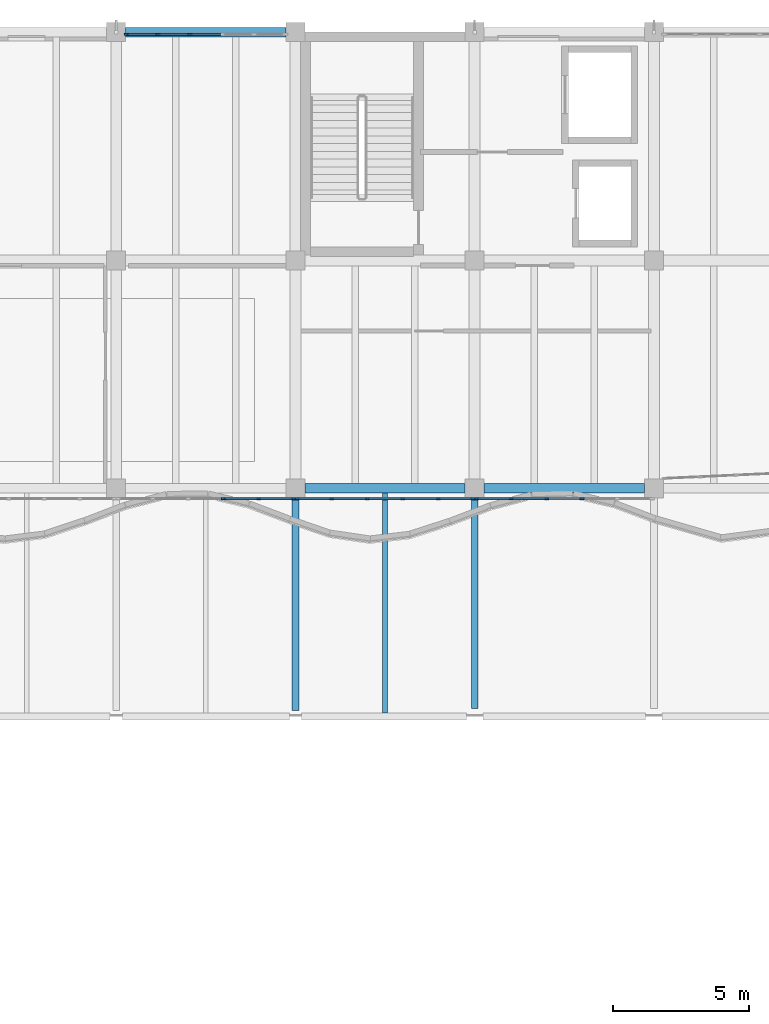
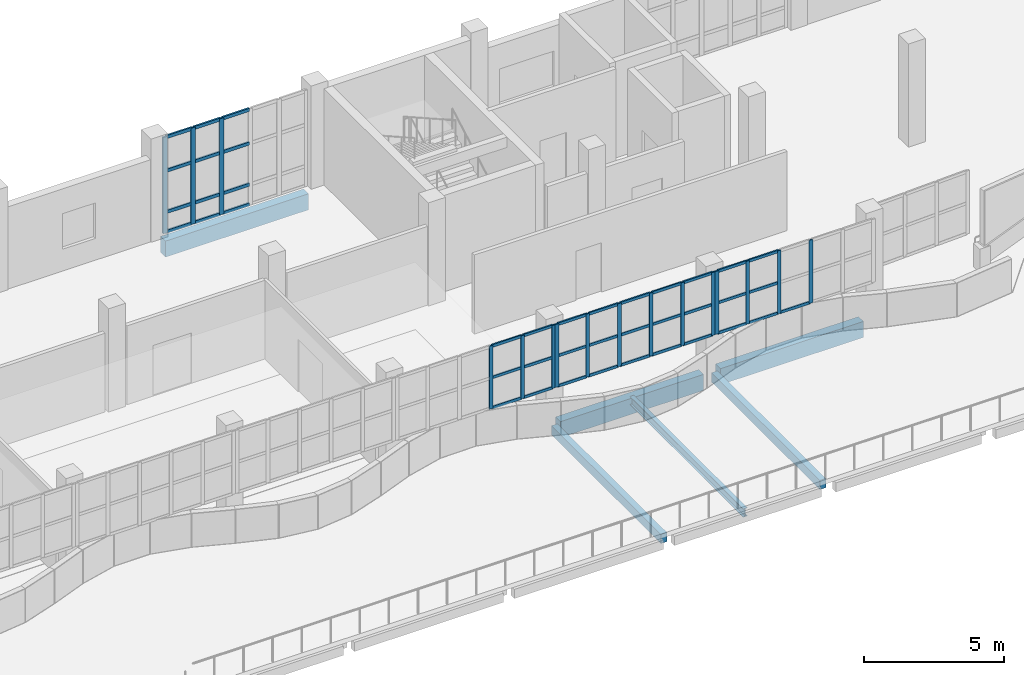
# One storey, part 16 of 83: 56 members, 6 beams, 4 elements without a shape of their own.
"""IFC4 building model written with IfcOpenShell, lengths in metres."""

from ifc_helpers import new_model, si_unit, direction, frame, origin, origin_2d, place, context, subcontext, project, spatial, rectangle, i_section, extrude, material, material_profile, profile_set, type_object, element, aggregate, save


model = new_model("IFC4")

# Units and contexts
model_context = context("Model", 3, precision=1e-05, world=origin(), true_north=direction((0.0, 1.0)))
body_context = subcontext(model_context, "Body", "Model", "MODEL_VIEW")
ifc_project = project(units=[si_unit("LENGTHUNIT", "METRE"), si_unit("AREAUNIT", "SQUARE_METRE"), si_unit("VOLUMEUNIT", "CUBIC_METRE"), si_unit("PLANEANGLEUNIT", "RADIAN"), si_unit("MASSUNIT", "GRAM", prefix="KILO")], contexts=[model_context])

# Site, building, storey
site_placement = place(None, origin())
site = spatial("IfcSite", under=ifc_project, at=site_placement, CompositionType="ELEMENT")
building_placement = place(site_placement, origin())
building = spatial("IfcBuilding", under=site, at=building_placement, Name="Qaldarim Faculty of Natural and Applied Sciences", CompositionType="ELEMENT")
storey_placement = place(building_placement, frame((0.0, 0.0, 5.39990234375)))
storey = spatial("IfcBuildingStorey", under=building, at=storey_placement, Name="L01", CompositionType="ELEMENT", Elevation=5.39990234375)

# Beams
ifc_material_1 = material(Name="Concrete C40/50", Category="concrete")
ifc_material_profile_1 = material_profile(ifc_material_1, rectangle(XDim=0.25, YDim=0.39990234375, at=origin_2d()), Name="RC-LN250x400")
ifc_profile_set_1 = profile_set([ifc_material_profile_1], Name="Concrete C40/50")
beam_type_1 = type_object("IfcBeamType", Name="ArcadeLintel-RC250x400", PredefinedType="LINTEL", material=ifc_profile_set_1)
beam_1_placement = place(storey_placement, frame((99.0, 92.625, -0.39990234375), z_axis=(0.0, 1.0, 0.0), x_axis=(-1.0, 0.0, 0.0)))
element("IfcBeam", 1, at=beam_1_placement, inside=storey, type_object=beam_type_1, Name="Beam RC-LN250x400 L00 X16/Y12-Y13", PredefinedType="LINTEL", context=body_context, shape_type="SweptSolid", body=[
    extrude(rectangle(XDim=0.25, YDim=0.39990234375, at=origin_2d()), origin(), (0.0, 0.0, 1.0), 7.824951171875),
])
beam_2_placement = place(storey_placement, frame((105.60009765625, 92.699951171875, -0.39990234375), z_axis=(0.0, 1.0, 0.0), x_axis=(-1.0, 0.0, 0.0)))
element("IfcBeam", 2, at=beam_2_placement, inside=storey, type_object=beam_type_1, Name="Beam RC-LN250x400 L00 X17/Y12-Y13", PredefinedType="LINTEL", context=body_context, shape_type="SweptSolid", body=[
    extrude(rectangle(XDim=0.25, YDim=0.39990234375, at=origin_2d()), origin(), (0.0, 0.0, 1.0), 7.75),
])
ifc_material_2 = material(Name="Structural steel S355", Category="steel")
ifc_material_profile_2 = material_profile(ifc_material_2, i_section(OverallWidth=0.169921875, OverallDepth=0.360107421875, WebThickness=0.008056640625, FlangeThickness=0.0126953125, at=origin_2d()), Name="IPE 360")
ifc_profile_set_2 = profile_set([ifc_material_profile_2], Name="Structural steel S355")
beam_type_2 = type_object("IfcBeamType", Name="CanopyBeam-IPE360", PredefinedType="BEAM", material=ifc_profile_set_2)
beam_3_placement = place(storey_placement, frame((102.300048828125, 92.52490234375, -0.3798828125), z_axis=(0.0, 1.0, 0.0), x_axis=(-1.0, 0.0, 0.0)))
element("IfcBeam", 3, at=beam_3_placement, inside=storey, type_object=beam_type_2, Name="Canopy steel beam IPE 360 bay X16", PredefinedType="BEAM", context=body_context, shape_type="SweptSolid", body=[
    extrude(i_section(OverallWidth=0.169921875, OverallDepth=0.360107421875, WebThickness=0.008056640625, FlangeThickness=0.0126953125, at=origin_2d()), origin(), (0.0, 0.0, 1.0), 8.10009765625),
])

# Curtain wall, members
ifc_material_3 = material(Name="Anodised aluminium AW-6063", Category="aluminium")
curtain_wall_type_1 = type_object("IfcCurtainWallType", Name="CurtainWallSystem-M1400", PredefinedType="USERDEFINED", material=ifc_material_3)
curtain_wall_1_placement = place(storey_placement, origin())
curtain_wall_1 = element("IfcCurtainWall", 4, at=curtain_wall_1_placement, inside=storey, type_object=curtain_wall_type_1, Name="Curtain wall CW-V4RIB-L01-X15", ObjectType="STICK CURTAIN WALL", PredefinedType="USERDEFINED")
ifc_material_profile_3 = material_profile(ifc_material_3, rectangle(XDim=0.06005859375, YDim=0.14990234375, at=origin_2d()), Name="ALU-M60x150")
ifc_profile_set_3 = profile_set([ifc_material_profile_3], Name="Anodised aluminium AW-6063")
member_type_1 = type_object("IfcMemberType", Name="Mullion-ALU60x150", PredefinedType="MULLION", material=ifc_profile_set_3)
member_1_placement = place(storey_placement, frame((96.35205078125, 100.419921875, 1.4501953125), z_axis=(0.0, 0.0, 1.0), x_axis=(0.0, 1.0, 0.0)))
member_1 = element("IfcMember", 5, at=member_1_placement, type_object=member_type_1, Name="Mullion 4 of CW-V4RIB-L01-X15", PredefinedType="MULLION", context=body_context, shape_type="SweptSolid", body=[
    extrude(rectangle(XDim=0.06005859375, YDim=0.14990234375, at=origin_2d()), origin(), (0.0, 0.0, 1.0), 2.75),
])
member_2_placement = place(storey_placement, frame((97.656005859375, 100.419921875, 1.4501953125), z_axis=(0.0, 0.0, 1.0), x_axis=(0.0, 1.0, 0.0)))
member_2 = element("IfcMember", 6, at=member_2_placement, type_object=member_type_1, Name="Mullion 5 of CW-V4RIB-L01-X15", PredefinedType="MULLION", context=body_context, shape_type="SweptSolid", body=[
    extrude(rectangle(XDim=0.06005859375, YDim=0.14990234375, at=origin_2d()), origin(), (0.0, 0.0, 1.0), 2.75),
])
member_3_placement = place(storey_placement, frame((98.929931640625, 100.419921875, 1.4501953125), z_axis=(0.0, 0.0, 1.0), x_axis=(0.0, 1.0, 0.0)))
member_3 = element("IfcMember", 7, at=member_3_placement, type_object=member_type_1, Name="Mullion 6 of CW-V4RIB-L01-X15", PredefinedType="MULLION", context=body_context, shape_type="SweptSolid", body=[
    extrude(rectangle(XDim=0.06005859375, YDim=0.14990234375, at=origin_2d()), origin(), (0.0, 0.0, 1.0), 2.75),
])

curtain_wall_2_placement = place(storey_placement, origin())
curtain_wall_2 = element("IfcCurtainWall", 8, at=curtain_wall_2_placement, inside=storey, type_object=curtain_wall_type_1, Name="Curtain wall CW-V4RIB-L01-X16", ObjectType="STICK CURTAIN WALL", PredefinedType="USERDEFINED")
member_4_placement = place(storey_placement, frame((99.070068359375, 100.419921875, 1.4501953125), z_axis=(0.0, 0.0, 1.0), x_axis=(0.0, 1.0, 0.0)))
member_4 = element("IfcMember", 9, at=member_4_placement, type_object=member_type_1, Name="Mullion 1 of CW-V4RIB-L01-X16", PredefinedType="MULLION", context=body_context, shape_type="SweptSolid", body=[
    extrude(rectangle(XDim=0.06005859375, YDim=0.14990234375, at=origin_2d()), origin(), (0.0, 0.0, 1.0), 2.75),
])
member_5_placement = place(storey_placement, frame((100.343994140625, 100.419921875, 1.4501953125), z_axis=(0.0, 0.0, 1.0), x_axis=(0.0, 1.0, 0.0)))
member_5 = element("IfcMember", 10, at=member_5_placement, type_object=member_type_1, Name="Mullion 2 of CW-V4RIB-L01-X16", PredefinedType="MULLION", context=body_context, shape_type="SweptSolid", body=[
    extrude(rectangle(XDim=0.06005859375, YDim=0.14990234375, at=origin_2d()), origin(), (0.0, 0.0, 1.0), 2.75),
])
member_6_placement = place(storey_placement, frame((101.64794921875, 100.419921875, 1.4501953125), z_axis=(0.0, 0.0, 1.0), x_axis=(0.0, 1.0, 0.0)))
member_6 = element("IfcMember", 11, at=member_6_placement, type_object=member_type_1, Name="Mullion 3 of CW-V4RIB-L01-X16", PredefinedType="MULLION", context=body_context, shape_type="SweptSolid", body=[
    extrude(rectangle(XDim=0.06005859375, YDim=0.14990234375, at=origin_2d()), origin(), (0.0, 0.0, 1.0), 2.75),
])
member_7_placement = place(storey_placement, frame((102.951904296875, 100.419921875, 1.4501953125), z_axis=(0.0, 0.0, 1.0), x_axis=(0.0, 1.0, 0.0)))
member_7 = element("IfcMember", 12, at=member_7_placement, type_object=member_type_1, Name="Mullion 4 of CW-V4RIB-L01-X16", PredefinedType="MULLION", context=body_context, shape_type="SweptSolid", body=[
    extrude(rectangle(XDim=0.06005859375, YDim=0.14990234375, at=origin_2d()), origin(), (0.0, 0.0, 1.0), 2.75),
])
member_8_placement = place(storey_placement, frame((104.256103515625, 100.419921875, 1.4501953125), z_axis=(0.0, 0.0, 1.0), x_axis=(0.0, 1.0, 0.0)))
member_8 = element("IfcMember", 13, at=member_8_placement, type_object=member_type_1, Name="Mullion 5 of CW-V4RIB-L01-X16", PredefinedType="MULLION", context=body_context, shape_type="SweptSolid", body=[
    extrude(rectangle(XDim=0.06005859375, YDim=0.14990234375, at=origin_2d()), origin(), (0.0, 0.0, 1.0), 2.75),
])
member_9_placement = place(storey_placement, frame((105.530029296875, 100.419921875, 1.4501953125), z_axis=(0.0, 0.0, 1.0), x_axis=(0.0, 1.0, 0.0)))
member_9 = element("IfcMember", 14, at=member_9_placement, type_object=member_type_1, Name="Mullion 6 of CW-V4RIB-L01-X16", PredefinedType="MULLION", context=body_context, shape_type="SweptSolid", body=[
    extrude(rectangle(XDim=0.06005859375, YDim=0.14990234375, at=origin_2d()), origin(), (0.0, 0.0, 1.0), 2.75),
])

curtain_wall_3_placement = place(storey_placement, origin())
curtain_wall_3 = element("IfcCurtainWall", 15, at=curtain_wall_3_placement, inside=storey, type_object=curtain_wall_type_1, Name="Curtain wall CW-V4RIB-L01-X17", ObjectType="STICK CURTAIN WALL", PredefinedType="USERDEFINED")
member_10_placement = place(storey_placement, frame((105.669921875, 100.419921875, 1.4501953125), z_axis=(0.0, 0.0, 1.0), x_axis=(0.0, 1.0, 0.0)))
member_10 = element("IfcMember", 16, at=member_10_placement, type_object=member_type_1, Name="Mullion 1 of CW-V4RIB-L01-X17", PredefinedType="MULLION", context=body_context, shape_type="SweptSolid", body=[
    extrude(rectangle(XDim=0.06005859375, YDim=0.14990234375, at=origin_2d()), origin(), (0.0, 0.0, 1.0), 2.75),
])
member_11_placement = place(storey_placement, frame((106.944091796875, 100.419921875, 1.4501953125), z_axis=(0.0, 0.0, 1.0), x_axis=(0.0, 1.0, 0.0)))
member_11 = element("IfcMember", 17, at=member_11_placement, type_object=member_type_1, Name="Mullion 2 of CW-V4RIB-L01-X17", PredefinedType="MULLION", context=body_context, shape_type="SweptSolid", body=[
    extrude(rectangle(XDim=0.06005859375, YDim=0.14990234375, at=origin_2d()), origin(), (0.0, 0.0, 1.0), 2.75),
])
member_12_placement = place(storey_placement, frame((108.248046875, 100.419921875, 1.4501953125), z_axis=(0.0, 0.0, 1.0), x_axis=(0.0, 1.0, 0.0)))
member_12 = element("IfcMember", 18, at=member_12_placement, type_object=member_type_1, Name="Mullion 3 of CW-V4RIB-L01-X17", PredefinedType="MULLION", context=body_context, shape_type="SweptSolid", body=[
    extrude(rectangle(XDim=0.06005859375, YDim=0.14990234375, at=origin_2d()), origin(), (0.0, 0.0, 1.0), 2.75),
])
member_13_placement = place(storey_placement, frame((109.552001953125, 100.419921875, 1.4501953125), z_axis=(0.0, 0.0, 1.0), x_axis=(0.0, 1.0, 0.0)))
member_13 = element("IfcMember", 19, at=member_13_placement, type_object=member_type_1, Name="Mullion 4 of CW-V4RIB-L01-X17", PredefinedType="MULLION", context=body_context, shape_type="SweptSolid", body=[
    extrude(rectangle(XDim=0.06005859375, YDim=0.14990234375, at=origin_2d()), origin(), (0.0, 0.0, 1.0), 2.75),
])

curtain_wall_type_2 = type_object("IfcCurtainWallType", Name="CurtainWallSystem-M1200", PredefinedType="USERDEFINED", material=ifc_material_3)
curtain_wall_4_placement = place(storey_placement, origin())
curtain_wall_4 = element("IfcCurtainWall", 20, at=curtain_wall_4_placement, inside=storey, type_object=curtain_wall_type_2, Name="Curtain wall CW-L01-N-X15Y14", ObjectType="STICK CURTAIN WALL", PredefinedType="USERDEFINED")
ifc_material_profile_4 = material_profile(ifc_material_3, rectangle(XDim=0.070068359375, YDim=0.179931640625, at=origin_2d()), Name="ALU-M70x180")
ifc_profile_set_4 = profile_set([ifc_material_profile_4], Name="Anodised aluminium AW-6063")
member_type_2 = type_object("IfcMemberType", Name="Mullion-ALU70x180", PredefinedType="MULLION", material=ifc_profile_set_4)
member_14_placement = place(storey_placement, frame((95.10888671875, 117.52001953125, 0.0), z_axis=(0.0, 0.0, 1.0), x_axis=(0.0, -1.0, 0.0)))
member_14 = element("IfcMember", 21, at=member_14_placement, type_object=member_type_2, Name="Mullion 4 of CW-L01-N-X15Y14", PredefinedType="MULLION", context=body_context, shape_type="SweptSolid", body=[
    extrude(rectangle(XDim=0.070068359375, YDim=0.179931640625, at=origin_2d()), origin(), (0.0, 0.0, 1.0), 4.2001953125),
])
member_15_placement = place(storey_placement, frame((93.927001953125, 117.52001953125, 0.0), z_axis=(0.0, 0.0, 1.0), x_axis=(0.0, -1.0, 0.0)))
member_15 = element("IfcMember", 22, at=member_15_placement, type_object=member_type_2, Name="Mullion 5 of CW-L01-N-X15Y14", PredefinedType="MULLION", context=body_context, shape_type="SweptSolid", body=[
    extrude(rectangle(XDim=0.070068359375, YDim=0.179931640625, at=origin_2d()), origin(), (0.0, 0.0, 1.0), 4.2001953125),
])
member_16_placement = place(storey_placement, frame((92.780029296875, 117.52001953125, 0.0), z_axis=(0.0, 0.0, 1.0), x_axis=(0.0, -1.0, 0.0)))
member_16 = element("IfcMember", 23, at=member_16_placement, type_object=member_type_2, Name="Mullion 6 of CW-L01-N-X15Y14", PredefinedType="MULLION", context=body_context, shape_type="SweptSolid", body=[
    extrude(rectangle(XDim=0.070068359375, YDim=0.179931640625, at=origin_2d()), origin(), (0.0, 0.0, 1.0), 4.2001953125),
])

# Beams
ifc_material_profile_5 = material_profile(ifc_material_1, rectangle(XDim=0.35009765625, YDim=0.699951171875, at=origin_2d()), Name="RC-B350x700")
ifc_profile_set_5 = profile_set([ifc_material_profile_5], Name="Concrete C40/50")
beam_type_3 = type_object("IfcBeamType", Name="PrimaryGirder-RC350x700", PredefinedType="BEAM", material=ifc_profile_set_5)
beam_4_placement = place(storey_placement, frame((99.35009765625, 100.800048828125, -0.64990234375), z_axis=(1.0, 0.0, 0.0), x_axis=(0.0, 1.0, 0.0)))
element("IfcBeam", 24, at=beam_4_placement, inside=storey, type_object=beam_type_3, Name="Beam RC-B350x700 L00 X16-X17/Y13", PredefinedType="BEAM", context=body_context, shape_type="SweptSolid", body=[
    extrude(rectangle(XDim=0.35009765625, YDim=0.699951171875, at=origin_2d()), origin(), (0.0, 0.0, 1.0), 5.89990234375),
])
beam_5_placement = place(storey_placement, frame((105.949951171875, 100.800048828125, -0.64990234375), z_axis=(1.0, 0.0, 0.0), x_axis=(0.0, 1.0, 0.0)))
element("IfcBeam", 25, at=beam_5_placement, inside=storey, type_object=beam_type_3, Name="Beam RC-B350x700 L00 X17-X18/Y13", PredefinedType="BEAM", context=body_context, shape_type="SweptSolid", body=[
    extrude(rectangle(XDim=0.35009765625, YDim=0.699951171875, at=origin_2d()), origin(), (0.0, 0.0, 1.0), 5.900146484375),
])
beam_6_placement = place(storey_placement, frame((92.75, 117.60009765625, -0.64990234375), z_axis=(1.0, 0.0, 0.0), x_axis=(0.0, 1.0, 0.0)))
element("IfcBeam", 26, at=beam_6_placement, inside=storey, type_object=beam_type_3, Name="Beam RC-B350x700 L00 X15-X16/Y15", PredefinedType="BEAM", context=body_context, shape_type="SweptSolid", body=[
    extrude(rectangle(XDim=0.35009765625, YDim=0.699951171875, at=origin_2d()), origin(), (0.0, 0.0, 1.0), 5.89990234375),
])

# Member
ifc_material_profile_6 = material_profile(ifc_material_3, rectangle(XDim=0.06005859375, YDim=0.1201171875, at=origin_2d()), Name="ALU-T60x120")
ifc_profile_set_6 = profile_set([ifc_material_profile_6], Name="Anodised aluminium AW-6063")
member_type_3 = type_object("IfcMemberType", Name="Transom-ALU60x120", PredefinedType="USERDEFINED", material=ifc_profile_set_6)
member_17_placement = place(storey_placement, frame((96.382080078125, 100.419921875, 1.47998046875), z_axis=(1.0, 0.0, 0.0), x_axis=(0.0, 1.0, 0.0)))
member_17 = element("IfcMember", 27, at=member_17_placement, type_object=member_type_3, Name="Transom 4-1 of CW-V4RIB-L01-X15", ObjectType="TRANSOM", PredefinedType="USERDEFINED", context=body_context, shape_type="SweptSolid", body=[
    extrude(rectangle(XDim=0.06005859375, YDim=0.1201171875, at=origin_2d()), origin(), (0.0, 0.0, 1.0), 1.243896484375),
])

member_18_placement = place(storey_placement, frame((96.382080078125, 100.419921875, 2.800048828125), z_axis=(1.0, 0.0, 0.0), x_axis=(0.0, 1.0, 0.0)))
member_18 = element("IfcMember", 28, at=member_18_placement, type_object=member_type_3, Name="Transom 4-2 of CW-V4RIB-L01-X15", ObjectType="TRANSOM", PredefinedType="USERDEFINED", context=body_context, shape_type="SweptSolid", body=[
    extrude(rectangle(XDim=0.06005859375, YDim=0.1201171875, at=origin_2d()), origin(), (0.0, 0.0, 1.0), 1.243896484375),
])

member_19_placement = place(storey_placement, frame((96.382080078125, 100.419921875, 4.170166015625), z_axis=(1.0, 0.0, 0.0), x_axis=(0.0, 1.0, 0.0)))
member_19 = element("IfcMember", 29, at=member_19_placement, type_object=member_type_3, Name="Transom 4-3 of CW-V4RIB-L01-X15", ObjectType="TRANSOM", PredefinedType="USERDEFINED", context=body_context, shape_type="SweptSolid", body=[
    extrude(rectangle(XDim=0.06005859375, YDim=0.1201171875, at=origin_2d()), origin(), (0.0, 0.0, 1.0), 1.243896484375),
])

member_20_placement = place(storey_placement, frame((97.68603515625, 100.419921875, 1.47998046875), z_axis=(1.0, 0.0, 0.0), x_axis=(0.0, 1.0, 0.0)))
member_20 = element("IfcMember", 30, at=member_20_placement, type_object=member_type_3, Name="Transom 5-1 of CW-V4RIB-L01-X15", ObjectType="TRANSOM", PredefinedType="USERDEFINED", context=body_context, shape_type="SweptSolid", body=[
    extrude(rectangle(XDim=0.06005859375, YDim=0.1201171875, at=origin_2d()), origin(), (0.0, 0.0, 1.0), 1.2138671875),
])

member_21_placement = place(storey_placement, frame((97.68603515625, 100.419921875, 2.800048828125), z_axis=(1.0, 0.0, 0.0), x_axis=(0.0, 1.0, 0.0)))
member_21 = element("IfcMember", 31, at=member_21_placement, type_object=member_type_3, Name="Transom 5-2 of CW-V4RIB-L01-X15", ObjectType="TRANSOM", PredefinedType="USERDEFINED", context=body_context, shape_type="SweptSolid", body=[
    extrude(rectangle(XDim=0.06005859375, YDim=0.1201171875, at=origin_2d()), origin(), (0.0, 0.0, 1.0), 1.2138671875),
])

member_22_placement = place(storey_placement, frame((97.68603515625, 100.419921875, 4.170166015625), z_axis=(1.0, 0.0, 0.0), x_axis=(0.0, 1.0, 0.0)))
member_22 = element("IfcMember", 32, at=member_22_placement, type_object=member_type_3, Name="Transom 5-3 of CW-V4RIB-L01-X15", ObjectType="TRANSOM", PredefinedType="USERDEFINED", context=body_context, shape_type="SweptSolid", body=[
    extrude(rectangle(XDim=0.06005859375, YDim=0.1201171875, at=origin_2d()), origin(), (0.0, 0.0, 1.0), 1.2138671875),
])

aggregate(curtain_wall_1, [member_1, member_2, member_3, member_17, member_18, member_19, member_20, member_21, member_22])

member_23_placement = place(storey_placement, frame((99.10009765625, 100.419921875, 1.47998046875), z_axis=(1.0, 0.0, 0.0), x_axis=(0.0, 1.0, 0.0)))
member_23 = element("IfcMember", 33, at=member_23_placement, type_object=member_type_3, Name="Transom 1-1 of CW-V4RIB-L01-X16", ObjectType="TRANSOM", PredefinedType="USERDEFINED", context=body_context, shape_type="SweptSolid", body=[
    extrude(rectangle(XDim=0.06005859375, YDim=0.1201171875, at=origin_2d()), origin(), (0.0, 0.0, 1.0), 1.2138671875),
])

member_24_placement = place(storey_placement, frame((99.10009765625, 100.419921875, 2.800048828125), z_axis=(1.0, 0.0, 0.0), x_axis=(0.0, 1.0, 0.0)))
member_24 = element("IfcMember", 34, at=member_24_placement, type_object=member_type_3, Name="Transom 1-2 of CW-V4RIB-L01-X16", ObjectType="TRANSOM", PredefinedType="USERDEFINED", context=body_context, shape_type="SweptSolid", body=[
    extrude(rectangle(XDim=0.06005859375, YDim=0.1201171875, at=origin_2d()), origin(), (0.0, 0.0, 1.0), 1.2138671875),
])

member_25_placement = place(storey_placement, frame((99.10009765625, 100.419921875, 4.170166015625), z_axis=(1.0, 0.0, 0.0), x_axis=(0.0, 1.0, 0.0)))
member_25 = element("IfcMember", 35, at=member_25_placement, type_object=member_type_3, Name="Transom 1-3 of CW-V4RIB-L01-X16", ObjectType="TRANSOM", PredefinedType="USERDEFINED", context=body_context, shape_type="SweptSolid", body=[
    extrude(rectangle(XDim=0.06005859375, YDim=0.1201171875, at=origin_2d()), origin(), (0.0, 0.0, 1.0), 1.2138671875),
])

member_26_placement = place(storey_placement, frame((100.3740234375, 100.419921875, 1.47998046875), z_axis=(1.0, 0.0, 0.0), x_axis=(0.0, 1.0, 0.0)))
member_26 = element("IfcMember", 36, at=member_26_placement, type_object=member_type_3, Name="Transom 2-1 of CW-V4RIB-L01-X16", ObjectType="TRANSOM", PredefinedType="USERDEFINED", context=body_context, shape_type="SweptSolid", body=[
    extrude(rectangle(XDim=0.06005859375, YDim=0.1201171875, at=origin_2d()), origin(), (0.0, 0.0, 1.0), 1.243896484375),
])

member_27_placement = place(storey_placement, frame((100.3740234375, 100.419921875, 2.800048828125), z_axis=(1.0, 0.0, 0.0), x_axis=(0.0, 1.0, 0.0)))
member_27 = element("IfcMember", 37, at=member_27_placement, type_object=member_type_3, Name="Transom 2-2 of CW-V4RIB-L01-X16", ObjectType="TRANSOM", PredefinedType="USERDEFINED", context=body_context, shape_type="SweptSolid", body=[
    extrude(rectangle(XDim=0.06005859375, YDim=0.1201171875, at=origin_2d()), origin(), (0.0, 0.0, 1.0), 1.243896484375),
])

member_28_placement = place(storey_placement, frame((100.3740234375, 100.419921875, 4.170166015625), z_axis=(1.0, 0.0, 0.0), x_axis=(0.0, 1.0, 0.0)))
member_28 = element("IfcMember", 38, at=member_28_placement, type_object=member_type_3, Name="Transom 2-3 of CW-V4RIB-L01-X16", ObjectType="TRANSOM", PredefinedType="USERDEFINED", context=body_context, shape_type="SweptSolid", body=[
    extrude(rectangle(XDim=0.06005859375, YDim=0.1201171875, at=origin_2d()), origin(), (0.0, 0.0, 1.0), 1.243896484375),
])

member_29_placement = place(storey_placement, frame((101.677978515625, 100.419921875, 1.47998046875), z_axis=(1.0, 0.0, 0.0), x_axis=(0.0, 1.0, 0.0)))
member_29 = element("IfcMember", 39, at=member_29_placement, type_object=member_type_3, Name="Transom 3-1 of CW-V4RIB-L01-X16", ObjectType="TRANSOM", PredefinedType="USERDEFINED", context=body_context, shape_type="SweptSolid", body=[
    extrude(rectangle(XDim=0.06005859375, YDim=0.1201171875, at=origin_2d()), origin(), (0.0, 0.0, 1.0), 1.244140625),
])

member_30_placement = place(storey_placement, frame((101.677978515625, 100.419921875, 2.800048828125), z_axis=(1.0, 0.0, 0.0), x_axis=(0.0, 1.0, 0.0)))
member_30 = element("IfcMember", 40, at=member_30_placement, type_object=member_type_3, Name="Transom 3-2 of CW-V4RIB-L01-X16", ObjectType="TRANSOM", PredefinedType="USERDEFINED", context=body_context, shape_type="SweptSolid", body=[
    extrude(rectangle(XDim=0.06005859375, YDim=0.1201171875, at=origin_2d()), origin(), (0.0, 0.0, 1.0), 1.244140625),
])

member_31_placement = place(storey_placement, frame((101.677978515625, 100.419921875, 4.170166015625), z_axis=(1.0, 0.0, 0.0), x_axis=(0.0, 1.0, 0.0)))
member_31 = element("IfcMember", 41, at=member_31_placement, type_object=member_type_3, Name="Transom 3-3 of CW-V4RIB-L01-X16", ObjectType="TRANSOM", PredefinedType="USERDEFINED", context=body_context, shape_type="SweptSolid", body=[
    extrude(rectangle(XDim=0.06005859375, YDim=0.1201171875, at=origin_2d()), origin(), (0.0, 0.0, 1.0), 1.244140625),
])

member_32_placement = place(storey_placement, frame((102.98193359375, 100.419921875, 1.47998046875), z_axis=(1.0, 0.0, 0.0), x_axis=(0.0, 1.0, 0.0)))
member_32 = element("IfcMember", 42, at=member_32_placement, type_object=member_type_3, Name="Transom 4-1 of CW-V4RIB-L01-X16", ObjectType="TRANSOM", PredefinedType="USERDEFINED", context=body_context, shape_type="SweptSolid", body=[
    extrude(rectangle(XDim=0.06005859375, YDim=0.1201171875, at=origin_2d()), origin(), (0.0, 0.0, 1.0), 1.244140625),
])

member_33_placement = place(storey_placement, frame((102.98193359375, 100.419921875, 2.800048828125), z_axis=(1.0, 0.0, 0.0), x_axis=(0.0, 1.0, 0.0)))
member_33 = element("IfcMember", 43, at=member_33_placement, type_object=member_type_3, Name="Transom 4-2 of CW-V4RIB-L01-X16", ObjectType="TRANSOM", PredefinedType="USERDEFINED", context=body_context, shape_type="SweptSolid", body=[
    extrude(rectangle(XDim=0.06005859375, YDim=0.1201171875, at=origin_2d()), origin(), (0.0, 0.0, 1.0), 1.244140625),
])

member_34_placement = place(storey_placement, frame((102.98193359375, 100.419921875, 4.170166015625), z_axis=(1.0, 0.0, 0.0), x_axis=(0.0, 1.0, 0.0)))
member_34 = element("IfcMember", 44, at=member_34_placement, type_object=member_type_3, Name="Transom 4-3 of CW-V4RIB-L01-X16", ObjectType="TRANSOM", PredefinedType="USERDEFINED", context=body_context, shape_type="SweptSolid", body=[
    extrude(rectangle(XDim=0.06005859375, YDim=0.1201171875, at=origin_2d()), origin(), (0.0, 0.0, 1.0), 1.244140625),
])

member_35_placement = place(storey_placement, frame((104.285888671875, 100.419921875, 1.47998046875), z_axis=(1.0, 0.0, 0.0), x_axis=(0.0, 1.0, 0.0)))
member_35 = element("IfcMember", 45, at=member_35_placement, type_object=member_type_3, Name="Transom 5-1 of CW-V4RIB-L01-X16", ObjectType="TRANSOM", PredefinedType="USERDEFINED", context=body_context, shape_type="SweptSolid", body=[
    extrude(rectangle(XDim=0.06005859375, YDim=0.1201171875, at=origin_2d()), origin(), (0.0, 0.0, 1.0), 1.214111328125),
])

member_36_placement = place(storey_placement, frame((104.285888671875, 100.419921875, 2.800048828125), z_axis=(1.0, 0.0, 0.0), x_axis=(0.0, 1.0, 0.0)))
member_36 = element("IfcMember", 46, at=member_36_placement, type_object=member_type_3, Name="Transom 5-2 of CW-V4RIB-L01-X16", ObjectType="TRANSOM", PredefinedType="USERDEFINED", context=body_context, shape_type="SweptSolid", body=[
    extrude(rectangle(XDim=0.06005859375, YDim=0.1201171875, at=origin_2d()), origin(), (0.0, 0.0, 1.0), 1.214111328125),
])

member_37_placement = place(storey_placement, frame((104.285888671875, 100.419921875, 4.170166015625), z_axis=(1.0, 0.0, 0.0), x_axis=(0.0, 1.0, 0.0)))
member_37 = element("IfcMember", 47, at=member_37_placement, type_object=member_type_3, Name="Transom 5-3 of CW-V4RIB-L01-X16", ObjectType="TRANSOM", PredefinedType="USERDEFINED", context=body_context, shape_type="SweptSolid", body=[
    extrude(rectangle(XDim=0.06005859375, YDim=0.1201171875, at=origin_2d()), origin(), (0.0, 0.0, 1.0), 1.214111328125),
])

aggregate(curtain_wall_2, [member_4, member_5, member_6, member_7, member_8, member_9, member_23, member_24, member_25, member_26, member_27, member_28, member_29, member_30, member_31, member_32, member_33, member_34, member_35, member_36, member_37])

member_38_placement = place(storey_placement, frame((105.699951171875, 100.419921875, 1.47998046875), z_axis=(1.0, 0.0, 0.0), x_axis=(0.0, 1.0, 0.0)))
member_38 = element("IfcMember", 48, at=member_38_placement, type_object=member_type_3, Name="Transom 1-1 of CW-V4RIB-L01-X17", ObjectType="TRANSOM", PredefinedType="USERDEFINED", context=body_context, shape_type="SweptSolid", body=[
    extrude(rectangle(XDim=0.06005859375, YDim=0.1201171875, at=origin_2d()), origin(), (0.0, 0.0, 1.0), 1.214111328125),
])

member_39_placement = place(storey_placement, frame((105.699951171875, 100.419921875, 2.800048828125), z_axis=(1.0, 0.0, 0.0), x_axis=(0.0, 1.0, 0.0)))
member_39 = element("IfcMember", 49, at=member_39_placement, type_object=member_type_3, Name="Transom 1-2 of CW-V4RIB-L01-X17", ObjectType="TRANSOM", PredefinedType="USERDEFINED", context=body_context, shape_type="SweptSolid", body=[
    extrude(rectangle(XDim=0.06005859375, YDim=0.1201171875, at=origin_2d()), origin(), (0.0, 0.0, 1.0), 1.214111328125),
])

member_40_placement = place(storey_placement, frame((105.699951171875, 100.419921875, 4.170166015625), z_axis=(1.0, 0.0, 0.0), x_axis=(0.0, 1.0, 0.0)))
member_40 = element("IfcMember", 50, at=member_40_placement, type_object=member_type_3, Name="Transom 1-3 of CW-V4RIB-L01-X17", ObjectType="TRANSOM", PredefinedType="USERDEFINED", context=body_context, shape_type="SweptSolid", body=[
    extrude(rectangle(XDim=0.06005859375, YDim=0.1201171875, at=origin_2d()), origin(), (0.0, 0.0, 1.0), 1.214111328125),
])

member_41_placement = place(storey_placement, frame((106.97412109375, 100.419921875, 1.47998046875), z_axis=(1.0, 0.0, 0.0), x_axis=(0.0, 1.0, 0.0)))
member_41 = element("IfcMember", 51, at=member_41_placement, type_object=member_type_3, Name="Transom 2-1 of CW-V4RIB-L01-X17", ObjectType="TRANSOM", PredefinedType="USERDEFINED", context=body_context, shape_type="SweptSolid", body=[
    extrude(rectangle(XDim=0.06005859375, YDim=0.1201171875, at=origin_2d()), origin(), (0.0, 0.0, 1.0), 1.243896484375),
])

member_42_placement = place(storey_placement, frame((106.97412109375, 100.419921875, 2.800048828125), z_axis=(1.0, 0.0, 0.0), x_axis=(0.0, 1.0, 0.0)))
member_42 = element("IfcMember", 52, at=member_42_placement, type_object=member_type_3, Name="Transom 2-2 of CW-V4RIB-L01-X17", ObjectType="TRANSOM", PredefinedType="USERDEFINED", context=body_context, shape_type="SweptSolid", body=[
    extrude(rectangle(XDim=0.06005859375, YDim=0.1201171875, at=origin_2d()), origin(), (0.0, 0.0, 1.0), 1.243896484375),
])

member_43_placement = place(storey_placement, frame((106.97412109375, 100.419921875, 4.170166015625), z_axis=(1.0, 0.0, 0.0), x_axis=(0.0, 1.0, 0.0)))
member_43 = element("IfcMember", 53, at=member_43_placement, type_object=member_type_3, Name="Transom 2-3 of CW-V4RIB-L01-X17", ObjectType="TRANSOM", PredefinedType="USERDEFINED", context=body_context, shape_type="SweptSolid", body=[
    extrude(rectangle(XDim=0.06005859375, YDim=0.1201171875, at=origin_2d()), origin(), (0.0, 0.0, 1.0), 1.243896484375),
])

member_44_placement = place(storey_placement, frame((108.278076171875, 100.419921875, 1.47998046875), z_axis=(1.0, 0.0, 0.0), x_axis=(0.0, 1.0, 0.0)))
member_44 = element("IfcMember", 54, at=member_44_placement, type_object=member_type_3, Name="Transom 3-1 of CW-V4RIB-L01-X17", ObjectType="TRANSOM", PredefinedType="USERDEFINED", context=body_context, shape_type="SweptSolid", body=[
    extrude(rectangle(XDim=0.06005859375, YDim=0.1201171875, at=origin_2d()), origin(), (0.0, 0.0, 1.0), 1.243896484375),
])

aggregate(curtain_wall_3, [member_10, member_11, member_12, member_13, member_38, member_39, member_40, member_41, member_42, member_43, member_44])

ifc_material_profile_7 = material_profile(ifc_material_3, rectangle(XDim=0.070068359375, YDim=0.139892578125, at=origin_2d()), Name="ALU-T70x140")
ifc_profile_set_7 = profile_set([ifc_material_profile_7], Name="Anodised aluminium AW-6063")
member_type_4 = type_object("IfcMemberType", Name="Transom-ALU70x140", PredefinedType="USERDEFINED", material=ifc_profile_set_7)
member_45_placement = place(storey_placement, frame((96.256103515625, 117.52001953125, 0.03515625), z_axis=(-1.0, 0.0, 0.0), x_axis=(0.0, -1.0, 0.0)))
member_45 = element("IfcMember", 55, at=member_45_placement, type_object=member_type_4, Name="Transom 3-1 of CW-L01-N-X15Y14", ObjectType="TRANSOM", PredefinedType="USERDEFINED", context=body_context, shape_type="SweptSolid", body=[
    extrude(rectangle(XDim=0.070068359375, YDim=0.139892578125, at=origin_2d()), origin(), (0.0, 0.0, 1.0), 1.112060546875),
])

member_46_placement = place(storey_placement, frame((96.256103515625, 117.52001953125, 0.900146484375), z_axis=(-1.0, 0.0, 0.0), x_axis=(0.0, -1.0, 0.0)))
member_46 = element("IfcMember", 56, at=member_46_placement, type_object=member_type_4, Name="Transom 3-2 of CW-L01-N-X15Y14", ObjectType="TRANSOM", PredefinedType="USERDEFINED", context=body_context, shape_type="SweptSolid", body=[
    extrude(rectangle(XDim=0.070068359375, YDim=0.139892578125, at=origin_2d()), origin(), (0.0, 0.0, 1.0), 1.112060546875),
])

member_47_placement = place(storey_placement, frame((96.256103515625, 117.52001953125, 2.7001953125), z_axis=(-1.0, 0.0, 0.0), x_axis=(0.0, -1.0, 0.0)))
member_47 = element("IfcMember", 57, at=member_47_placement, type_object=member_type_4, Name="Transom 3-3 of CW-L01-N-X15Y14", ObjectType="TRANSOM", PredefinedType="USERDEFINED", context=body_context, shape_type="SweptSolid", body=[
    extrude(rectangle(XDim=0.070068359375, YDim=0.139892578125, at=origin_2d()), origin(), (0.0, 0.0, 1.0), 1.112060546875),
])

member_48_placement = place(storey_placement, frame((96.256103515625, 117.52001953125, 4.1650390625), z_axis=(-1.0, 0.0, 0.0), x_axis=(0.0, -1.0, 0.0)))
member_48 = element("IfcMember", 58, at=member_48_placement, type_object=member_type_4, Name="Transom 3-4 of CW-L01-N-X15Y14", ObjectType="TRANSOM", PredefinedType="USERDEFINED", context=body_context, shape_type="SweptSolid", body=[
    extrude(rectangle(XDim=0.070068359375, YDim=0.139892578125, at=origin_2d()), origin(), (0.0, 0.0, 1.0), 1.112060546875),
])

member_49_placement = place(storey_placement, frame((95.073974609375, 117.52001953125, 0.03515625), z_axis=(-1.0, 0.0, 0.0), x_axis=(0.0, -1.0, 0.0)))
member_49 = element("IfcMember", 59, at=member_49_placement, type_object=member_type_4, Name="Transom 4-1 of CW-L01-N-X15Y14", ObjectType="TRANSOM", PredefinedType="USERDEFINED", context=body_context, shape_type="SweptSolid", body=[
    extrude(rectangle(XDim=0.070068359375, YDim=0.139892578125, at=origin_2d()), origin(), (0.0, 0.0, 1.0), 1.112060546875),
])

member_50_placement = place(storey_placement, frame((95.073974609375, 117.52001953125, 0.900146484375), z_axis=(-1.0, 0.0, 0.0), x_axis=(0.0, -1.0, 0.0)))
member_50 = element("IfcMember", 60, at=member_50_placement, type_object=member_type_4, Name="Transom 4-2 of CW-L01-N-X15Y14", ObjectType="TRANSOM", PredefinedType="USERDEFINED", context=body_context, shape_type="SweptSolid", body=[
    extrude(rectangle(XDim=0.070068359375, YDim=0.139892578125, at=origin_2d()), origin(), (0.0, 0.0, 1.0), 1.112060546875),
])

member_51_placement = place(storey_placement, frame((95.073974609375, 117.52001953125, 2.7001953125), z_axis=(-1.0, 0.0, 0.0), x_axis=(0.0, -1.0, 0.0)))
member_51 = element("IfcMember", 61, at=member_51_placement, type_object=member_type_4, Name="Transom 4-3 of CW-L01-N-X15Y14", ObjectType="TRANSOM", PredefinedType="USERDEFINED", context=body_context, shape_type="SweptSolid", body=[
    extrude(rectangle(XDim=0.070068359375, YDim=0.139892578125, at=origin_2d()), origin(), (0.0, 0.0, 1.0), 1.112060546875),
])

member_52_placement = place(storey_placement, frame((95.073974609375, 117.52001953125, 4.1650390625), z_axis=(-1.0, 0.0, 0.0), x_axis=(0.0, -1.0, 0.0)))
member_52 = element("IfcMember", 62, at=member_52_placement, type_object=member_type_4, Name="Transom 4-4 of CW-L01-N-X15Y14", ObjectType="TRANSOM", PredefinedType="USERDEFINED", context=body_context, shape_type="SweptSolid", body=[
    extrude(rectangle(XDim=0.070068359375, YDim=0.139892578125, at=origin_2d()), origin(), (0.0, 0.0, 1.0), 1.112060546875),
])

member_53_placement = place(storey_placement, frame((93.89208984375, 117.52001953125, 0.03515625), z_axis=(-1.0, 0.0, 0.0), x_axis=(0.0, -1.0, 0.0)))
member_53 = element("IfcMember", 63, at=member_53_placement, type_object=member_type_4, Name="Transom 5-1 of CW-L01-N-X15Y14", ObjectType="TRANSOM", PredefinedType="USERDEFINED", context=body_context, shape_type="SweptSolid", body=[
    extrude(rectangle(XDim=0.070068359375, YDim=0.139892578125, at=origin_2d()), origin(), (0.0, 0.0, 1.0), 1.0771484375),
])

member_54_placement = place(storey_placement, frame((93.89208984375, 117.52001953125, 0.900146484375), z_axis=(-1.0, 0.0, 0.0), x_axis=(0.0, -1.0, 0.0)))
member_54 = element("IfcMember", 64, at=member_54_placement, type_object=member_type_4, Name="Transom 5-2 of CW-L01-N-X15Y14", ObjectType="TRANSOM", PredefinedType="USERDEFINED", context=body_context, shape_type="SweptSolid", body=[
    extrude(rectangle(XDim=0.070068359375, YDim=0.139892578125, at=origin_2d()), origin(), (0.0, 0.0, 1.0), 1.0771484375),
])

member_55_placement = place(storey_placement, frame((93.89208984375, 117.52001953125, 2.7001953125), z_axis=(-1.0, 0.0, 0.0), x_axis=(0.0, -1.0, 0.0)))
member_55 = element("IfcMember", 65, at=member_55_placement, type_object=member_type_4, Name="Transom 5-3 of CW-L01-N-X15Y14", ObjectType="TRANSOM", PredefinedType="USERDEFINED", context=body_context, shape_type="SweptSolid", body=[
    extrude(rectangle(XDim=0.070068359375, YDim=0.139892578125, at=origin_2d()), origin(), (0.0, 0.0, 1.0), 1.0771484375),
])

member_56_placement = place(storey_placement, frame((93.89208984375, 117.52001953125, 4.1650390625), z_axis=(-1.0, 0.0, 0.0), x_axis=(0.0, -1.0, 0.0)))
member_56 = element("IfcMember", 66, at=member_56_placement, type_object=member_type_4, Name="Transom 5-4 of CW-L01-N-X15Y14", ObjectType="TRANSOM", PredefinedType="USERDEFINED", context=body_context, shape_type="SweptSolid", body=[
    extrude(rectangle(XDim=0.070068359375, YDim=0.139892578125, at=origin_2d()), origin(), (0.0, 0.0, 1.0), 1.0771484375),
])

aggregate(curtain_wall_4, [member_14, member_15, member_16, member_45, member_46, member_47, member_48, member_49, member_50, member_51, member_52, member_53, member_54, member_55, member_56])

save(model, "model.ifc")
